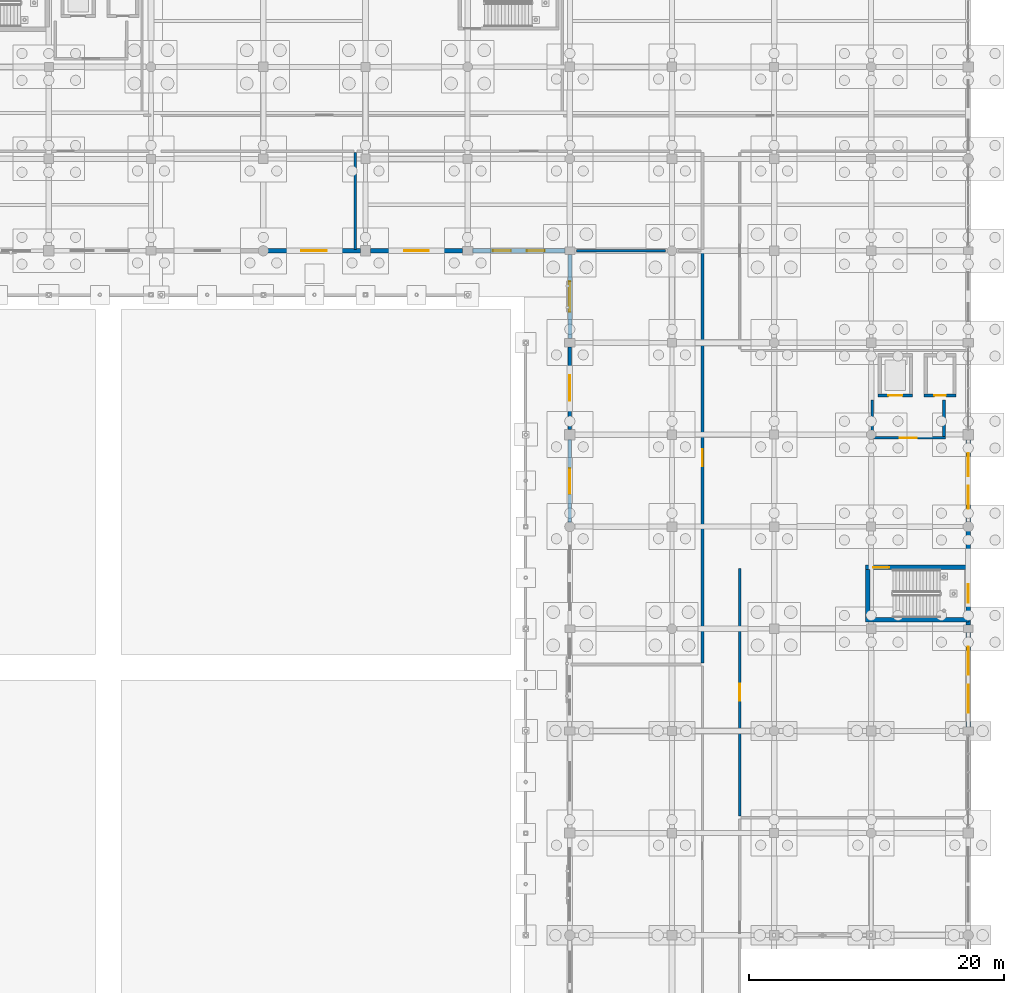
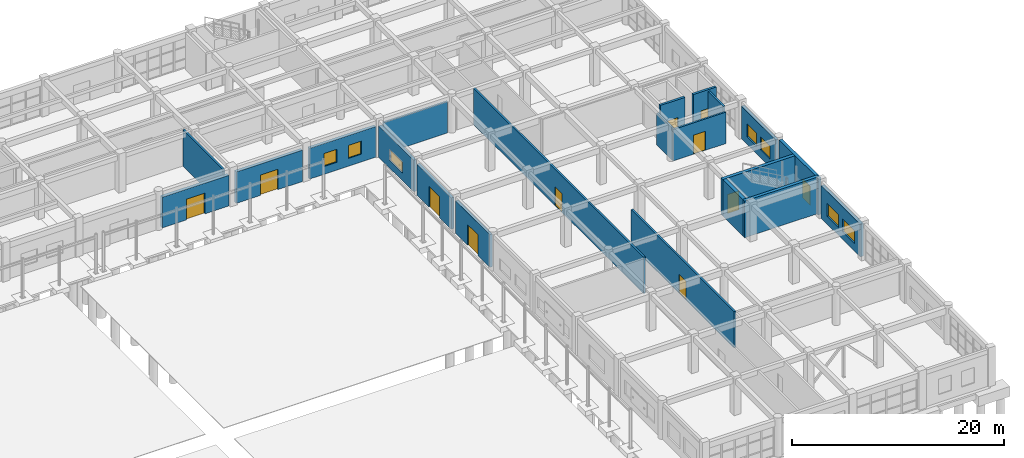
# One storey, part 140 of 166: 21 walls, 11 doors, 7 windows, 18 openings.
"""IFC4 building model written with IfcOpenShell, lengths in metres."""

from ifc_helpers import new_model, si_unit, direction, frame, frame_2d, origin, place, context, subcontext, project, spatial, rectangle, extrude, material, layer, layer_set, type_object, element, fill, save


model = new_model("IFC4")

# Units and contexts
model_context = context("Model", 3, precision=1e-05, world=origin(), true_north=direction((0.0, 1.0)))
body_context = subcontext(model_context, "Body", "Model", "MODEL_VIEW")
ifc_project = project(units=[si_unit("LENGTHUNIT", "METRE"), si_unit("AREAUNIT", "SQUARE_METRE"), si_unit("VOLUMEUNIT", "CUBIC_METRE"), si_unit("PLANEANGLEUNIT", "RADIAN"), si_unit("MASSUNIT", "GRAM", prefix="KILO")], contexts=[model_context])

# Site, building, storey
site_placement = place(None, origin())
site = spatial("IfcSite", under=ifc_project, at=site_placement, CompositionType="ELEMENT")
building_placement = place(site_placement, origin())
building = spatial("IfcBuilding", under=site, at=building_placement, Name="Kharva Crest Polytechnic", CompositionType="ELEMENT")
storey_placement = place(building_placement, origin())
storey = spatial("IfcBuildingStorey", under=building, at=storey_placement, Name="L00", CompositionType="ELEMENT", Elevation=0.0)

# Wall
ifc_material_1 = material(Name="Concrete C40/50", Category="concrete")
ifc_layer_1 = layer(ifc_material_1, 0.35009765625, Name="Concrete C40/50")
ifc_layer_set_1 = layer_set([ifc_layer_1], Name="Concrete C40/50")
wall_type_1 = type_object("IfcWallType", Name="WL-CORE-CW1-350", PredefinedType="SHEAR", material=ifc_layer_set_1)
wall_1_placement = place(storey_placement, frame((175.949951171875, 71.4951171875, 0.0), z_axis=(0.0, 0.0, 1.0), x_axis=(1.0, 0.0, 0.0)))
element("IfcWall", 1, at=wall_1_placement, inside=storey, type_object=wall_type_1, Name="L00 East Crest Firefighting Core C5 South Shear Wall", PredefinedType="SHEAR", context=body_context, shape_type="SweptSolid", body=[
    extrude(rectangle(XDim=8.10009765625, YDim=0.35009765625, at=frame_2d((4.050048828125, 0.0))), origin(), (0.0, 0.0, 1.0), 4.219970703125),
])

# Wall, opening, door
wall_2_placement = place(storey_placement, frame((175.949951171875, 75.60498046875, 0.0), z_axis=(0.0, 0.0, 1.0), x_axis=(1.0, 0.0, 0.0)))
wall_2 = element("IfcWall", 2, at=wall_2_placement, inside=storey, type_object=wall_type_1, Name="L00 East Crest Firefighting Core C5 North Shear Wall", PredefinedType="SHEAR", context=body_context, shape_type="SweptSolid", body=[
    extrude(rectangle(XDim=8.10009765625, YDim=0.35009765625, at=frame_2d((4.050048828125, 0.0))), origin(), (0.0, 0.0, 1.0), 4.219970703125),
])
opening_1_placement = place(wall_2_placement, frame((0.60009765625, 0.0, 0.0)))
opening_1 = element("IfcOpeningElement", 3, at=opening_1_placement, cuts=wall_2, Name="Opening FD1B", PredefinedType="OPENING", context=body_context, shape_type="SweptSolid", body=[
    extrude(rectangle(XDim=1.25, YDim=2.199951171875, at=frame_2d((0.625, 1.10009765625))), frame((0.0, 0.18505859375, 0.0), z_axis=(0.0, -1.0, 0.0), x_axis=(1.0, 0.0, 0.0)), (0.0, 0.0, 1.0), 0.3701171875),
])
ifc_material_2 = material(Name="Teak timber", Category="wood")
door_type_1 = type_object("IfcDoorType", Name="DR-STAIR-1250X2200", OperationType="NOTDEFINED", PredefinedType="DOOR", material=ifc_material_2)
door_1_placement = place(opening_1_placement, origin())
door_1 = element("IfcDoor", 4, at=door_1_placement, inside=storey, type_object=door_type_1, Name="L00 ST-05 Stair Door", OperationType="SINGLE_SWING_RIGHT", OverallHeight=2.199951171875, OverallWidth=1.25, PredefinedType="DOOR", context=body_context, shape_type="SweptSolid", body=[
    extrude(rectangle(XDim=1.25, YDim=2.199951171875, at=frame_2d((0.625, 1.10009765625))), frame((0.0, 0.02490234375, 0.0), z_axis=(0.0, -1.0, 0.0), x_axis=(1.0, 0.0, 0.0)), (0.0, 0.0, 1.0), 0.050048828125),
])
fill(opening_1, door_1)

# Wall
wall_3_placement = place(storey_placement, frame((176.125, 71.669921875, 0.0), z_axis=(0.0, 0.0, 1.0), x_axis=(0.0, 1.0, 0.0)))
element("IfcWall", 5, at=wall_3_placement, inside=storey, type_object=wall_type_1, Name="L00 East Crest Firefighting Core C5 West Shear Wall", PredefinedType="SHEAR", context=body_context, shape_type="SweptSolid", body=[
    extrude(rectangle(XDim=3.760009765625, YDim=0.35009765625, at=frame_2d((1.8798828125, 0.0))), origin(), (0.0, 0.0, 1.0), 4.219970703125),
])

# Wall, opening, door
ifc_material_3 = material(Name="Kiln brick masonry", Category="masonry")
ifc_layer_2 = layer(ifc_material_3, 0.27490234375, Name="Kiln brick masonry")
ifc_layer_set_2 = layer_set([ifc_layer_2], Name="Kiln brick masonry")
wall_type_2 = type_object("IfcWallType", Name="WL-EXT-BRK-275", PredefinedType="SOLIDWALL", material=ifc_layer_set_2)
wall_4_placement = place(storey_placement, frame((152.800048828125, 85.60498046875, 0.0), z_axis=(0.0, 0.0, 1.0), x_axis=(0.0, -1.0, 0.0)))
wall_4 = element("IfcWall", 6, at=wall_4_placement, inside=storey, type_object=wall_type_2, Name="L00 Exterior Brick Wall 95", PredefinedType="SOLIDWALL", context=body_context, shape_type="SweptSolid", body=[
    extrude(rectangle(XDim=6.468994140625, YDim=0.27490234375, at=frame_2d((3.234375, 0.0))), origin(), (0.0, 0.0, 1.0), 3.780029296875),
])
opening_2_placement = place(wall_4_placement, frame((2.235107421875, 0.0, 0.0)))
opening_2 = element("IfcOpeningElement", 7, at=opening_2_placement, cuts=wall_4, Name="Opening ED2", PredefinedType="OPENING", context=body_context, shape_type="SweptSolid", body=[
    extrude(rectangle(XDim=2.0, YDim=2.39990234375, at=frame_2d((1.0, 1.199951171875))), frame((0.0, 0.1474609375, 0.0), z_axis=(0.0, -1.0, 0.0), x_axis=(1.0, 0.0, 0.0)), (0.0, 0.0, 1.0), 0.294921875),
])
ifc_material_4 = material(Name="Anodised aluminium", Category="aluminium")
door_type_2 = type_object("IfcDoorType", Name="DR-EXT-DBL-2000X2400", OperationType="NOTDEFINED", PredefinedType="DOOR", material=ifc_material_4)
door_2_placement = place(opening_2_placement, frame((2.0, 0.0, 0.0), z_axis=(0.0, 0.0, 1.0), x_axis=(-1.0, 0.0, 0.0)))
door_2 = element("IfcDoor", 8, at=door_2_placement, inside=storey, type_object=door_type_2, Name="L00 VER_E_L00 Access Door 24", OperationType="DOUBLE_DOOR_SINGLE_SWING", OverallHeight=2.39990234375, OverallWidth=2.0, PredefinedType="DOOR", context=body_context, shape_type="SweptSolid", body=[
    extrude(rectangle(XDim=2.0, YDim=2.39990234375, at=frame_2d((1.0, 1.199951171875))), frame((0.0, 0.02490234375, 0.0), z_axis=(0.0, -1.0, 0.0), x_axis=(1.0, 0.0, 0.0)), (0.0, 0.0, 1.0), 0.050048828125),
])
fill(opening_2, door_2)

ifc_layer_3 = layer(ifc_material_3, 0.2900390625, Name="Kiln brick masonry")
ifc_layer_set_3 = layer_set([ifc_layer_3], Name="Kiln brick masonry")
wall_type_3 = type_object("IfcWallType", Name="WL-EXT-BRK-290", PredefinedType="SOLIDWALL", material=ifc_layer_set_3)
wall_5_placement = place(storey_placement, frame((152.800048828125, 92.8798828125, 0.0), z_axis=(0.0, 0.0, 1.0), x_axis=(0.0, -1.0, 0.0)))
wall_5 = element("IfcWall", 9, at=wall_5_placement, inside=storey, type_object=wall_type_3, Name="L00 Exterior Brick Wall 94", PredefinedType="SOLIDWALL", context=body_context, shape_type="SweptSolid", body=[
    extrude(rectangle(XDim=6.48486328125, YDim=0.2900390625, at=frame_2d((3.242431640625, 0.0))), origin(), (0.0, 0.0, 1.0), 3.60009765625),
])
opening_3_placement = place(wall_5_placement, frame((2.241943359375, 0.0, 0.0)))
opening_3 = element("IfcOpeningElement", 10, at=opening_3_placement, cuts=wall_5, Name="Opening ED2", PredefinedType="OPENING", context=body_context, shape_type="SweptSolid", body=[
    extrude(rectangle(XDim=2.0, YDim=2.39990234375, at=frame_2d((1.0, 1.199951171875))), frame((0.0, 0.155029296875, 0.0), z_axis=(0.0, -1.0, 0.0), x_axis=(1.0, 0.0, 0.0)), (0.0, 0.0, 1.0), 0.31005859375),
])
door_3_placement = place(opening_3_placement, frame((2.0, 0.0, 0.0), z_axis=(0.0, 0.0, 1.0), x_axis=(-1.0, 0.0, 0.0)))
door_3 = element("IfcDoor", 11, at=door_3_placement, inside=storey, type_object=door_type_2, Name="L00 VER_E_L00 Access Door 23", OperationType="DOUBLE_DOOR_SINGLE_SWING", OverallHeight=2.39990234375, OverallWidth=2.0, PredefinedType="DOOR", context=body_context, shape_type="SweptSolid", body=[
    extrude(rectangle(XDim=2.0, YDim=2.39990234375, at=frame_2d((1.0, 1.199951171875))), frame((0.0, 0.02490234375, 0.0), z_axis=(0.0, -1.0, 0.0), x_axis=(1.0, 0.0, 0.0)), (0.0, 0.0, 1.0), 0.050048828125),
])
fill(opening_3, door_3)

# Wall, opening, window
ifc_layer_4 = layer(ifc_material_3, 0.304931640625, Name="Kiln brick masonry")
ifc_layer_set_4 = layer_set([ifc_layer_4], Name="Kiln brick masonry")
wall_type_4 = type_object("IfcWallType", Name="WL-EXT-BRK-305", PredefinedType="SOLIDWALL", material=ifc_layer_set_4)
wall_6_placement = place(storey_placement, frame((152.800048828125, 100.10498046875, 0.0), z_axis=(0.0, 0.0, 1.0), x_axis=(0.0, -1.0, 0.0)))
wall_6 = element("IfcWall", 12, at=wall_6_placement, inside=storey, type_object=wall_type_4, Name="L00 Exterior Brick Wall 93", PredefinedType="SOLIDWALL", context=body_context, shape_type="SweptSolid", body=[
    extrude(rectangle(XDim=6.5849609375, YDim=0.304931640625, at=frame_2d((3.29248046875, 0.0))), origin(), (0.0, 0.0, 1.0), 3.639892578125),
])
opening_4_placement = place(wall_6_placement, frame((2.093017578125, 0.0, 0.89990234375)))
opening_4 = element("IfcOpeningElement", 13, at=opening_4_placement, cuts=wall_6, Name="Opening W17", PredefinedType="OPENING", context=body_context, shape_type="SweptSolid", body=[
    extrude(rectangle(XDim=2.39990234375, YDim=1.25, at=frame_2d((1.199951171875, 0.625))), frame((0.0, 0.162353515625, 0.0), z_axis=(0.0, -1.0, 0.0), x_axis=(1.0, 0.0, 0.0)), (0.0, 0.0, 1.0), 0.324951171875),
])
window_type_1 = type_object("IfcWindowType", Name="WIN-ALU-2400X1250", PartitioningType="SINGLE_PANEL", PredefinedType="WINDOW", material=ifc_material_4)
window_1_placement = place(opening_4_placement, origin())
window_1 = element("IfcWindow", 14, at=window_1_placement, inside=storey, type_object=window_type_1, Name="L00 Exterior Window 112", OverallHeight=1.25, OverallWidth=2.39990234375, PartitioningType="SINGLE_PANEL", PredefinedType="WINDOW", context=body_context, shape_type="SweptSolid", body=[
    extrude(rectangle(XDim=2.39990234375, YDim=1.25, at=frame_2d((1.199951171875, 0.625))), frame((0.0, 0.030029296875, 0.0), z_axis=(0.0, -1.0, 0.0), x_axis=(1.0, 0.0, 0.0)), (0.0, 0.0, 1.0), 0.06005859375),
])
fill(opening_4, window_1)

# Wall, openings, windows
ifc_layer_5 = layer(ifc_material_3, 0.320068359375, Name="Kiln brick masonry")
ifc_layer_set_5 = layer_set([ifc_layer_5], Name="Kiln brick masonry")
wall_type_5 = type_object("IfcWallType", Name="WL-EXT-BRK-320", PredefinedType="SOLIDWALL", material=ifc_layer_set_5)
wall_7_placement = place(storey_placement, frame((145.195068359375, 100.39990234375, 0.0), z_axis=(0.0, 0.0, 1.0), x_axis=(1.0, 0.0, 0.0)))
wall_7 = element("IfcWall", 15, at=wall_7_placement, inside=storey, type_object=wall_type_5, Name="L00 Exterior Brick Wall 92", PredefinedType="SOLIDWALL", context=body_context, shape_type="SweptSolid", body=[
    extrude(rectangle(XDim=7.219970703125, YDim=0.320068359375, at=frame_2d((3.60986328125, 0.0))), origin(), (0.0, 0.0, 1.0), 3.5400390625),
])
opening_5_placement = place(wall_7_placement, frame((1.580078125, 0.0, 0.89990234375)))
opening_5 = element("IfcOpeningElement", 16, at=opening_5_placement, cuts=wall_7, Name="Opening W15", PredefinedType="OPENING", context=body_context, shape_type="SweptSolid", body=[
    extrude(rectangle(XDim=1.39990234375, YDim=1.5, at=frame_2d((0.699951171875, 0.75))), frame((0.0, 0.169921875, 0.0), z_axis=(0.0, -1.0, 0.0), x_axis=(1.0, 0.0, 0.0)), (0.0, 0.0, 1.0), 0.340087890625),
])
opening_6_placement = place(wall_7_placement, frame((4.239990234375, 0.0, 0.89990234375)))
opening_6 = element("IfcOpeningElement", 17, at=opening_6_placement, cuts=wall_7, Name="Opening W15", PredefinedType="OPENING", context=body_context, shape_type="SweptSolid", body=[
    extrude(rectangle(XDim=1.39990234375, YDim=1.5, at=frame_2d((0.699951171875, 0.75))), frame((0.0, 0.169921875, 0.0), z_axis=(0.0, -1.0, 0.0), x_axis=(1.0, 0.0, 0.0)), (0.0, 0.0, 1.0), 0.340087890625),
])
window_type_2 = type_object("IfcWindowType", Name="WIN-ALU-1400X1500", PartitioningType="SINGLE_PANEL", PredefinedType="WINDOW", material=ifc_material_4)
window_2_placement = place(opening_5_placement, origin())
window_2 = element("IfcWindow", 18, at=window_2_placement, inside=storey, type_object=window_type_2, Name="L00 Exterior Window 110", OverallHeight=1.5, OverallWidth=1.39990234375, PartitioningType="SINGLE_PANEL", PredefinedType="WINDOW", context=body_context, shape_type="SweptSolid", body=[
    extrude(rectangle(XDim=1.39990234375, YDim=1.5, at=frame_2d((0.699951171875, 0.75))), frame((0.0, 0.030029296875, 0.0), z_axis=(0.0, -1.0, 0.0), x_axis=(1.0, 0.0, 0.0)), (0.0, 0.0, 1.0), 0.06005859375),
])
fill(opening_5, window_2)
window_3_placement = place(opening_6_placement, origin())
window_3 = element("IfcWindow", 19, at=window_3_placement, inside=storey, type_object=window_type_2, Name="L00 Exterior Window 111", OverallHeight=1.5, OverallWidth=1.39990234375, PartitioningType="SINGLE_PANEL", PredefinedType="WINDOW", context=body_context, shape_type="SweptSolid", body=[
    extrude(rectangle(XDim=1.39990234375, YDim=1.5, at=frame_2d((0.699951171875, 0.75))), frame((0.0, 0.030029296875, 0.0), z_axis=(0.0, -1.0, 0.0), x_axis=(1.0, 0.0, 0.0)), (0.0, 0.0, 1.0), 0.06005859375),
])
fill(opening_6, window_3)

wall_8_placement = place(storey_placement, frame((184.0, 79.135986328125, 0.0), z_axis=(0.0, 0.0, 1.0), x_axis=(0.0, 1.0, 0.0)))
wall_8 = element("IfcWall", 20, at=wall_8_placement, inside=storey, type_object=wall_type_5, Name="L00 Exterior Brick Wall 106", PredefinedType="SOLIDWALL", context=body_context, shape_type="SweptSolid", body=[
    extrude(rectangle(XDim=6.468994140625, YDim=0.320068359375, at=frame_2d((3.234375, 0.0))), origin(), (0.0, 0.0, 1.0), 3.780029296875),
])
opening_7_placement = place(wall_8_placement, frame((1.06298828125, 0.0, 0.89990234375)))
opening_7 = element("IfcOpeningElement", 21, at=opening_7_placement, cuts=wall_8, Name="Opening W13", PredefinedType="OPENING", context=body_context, shape_type="SweptSolid", body=[
    extrude(rectangle(XDim=1.800048828125, YDim=1.5, at=frame_2d((0.89990234375, 0.75))), frame((0.0, 0.169921875, 0.0), z_axis=(0.0, -1.0, 0.0), x_axis=(1.0, 0.0, 0.0)), (0.0, 0.0, 1.0), 0.340087890625),
])
opening_8_placement = place(wall_8_placement, frame((3.60595703125, 0.0, 0.89990234375)))
opening_8 = element("IfcOpeningElement", 22, at=opening_8_placement, cuts=wall_8, Name="Opening W13", PredefinedType="OPENING", context=body_context, shape_type="SweptSolid", body=[
    extrude(rectangle(XDim=1.800048828125, YDim=1.5, at=frame_2d((0.89990234375, 0.75))), frame((0.0, 0.169921875, 0.0), z_axis=(0.0, -1.0, 0.0), x_axis=(1.0, 0.0, 0.0)), (0.0, 0.0, 1.0), 0.340087890625),
])
window_type_3 = type_object("IfcWindowType", Name="WIN-ALU-1800X1500", PartitioningType="SINGLE_PANEL", PredefinedType="WINDOW", material=ifc_material_4)
window_4_placement = place(opening_7_placement, origin())
window_4 = element("IfcWindow", 23, at=window_4_placement, inside=storey, type_object=window_type_3, Name="L00 Exterior Window 132", OverallHeight=1.5, OverallWidth=1.800048828125, PartitioningType="SINGLE_PANEL", PredefinedType="WINDOW", context=body_context, shape_type="SweptSolid", body=[
    extrude(rectangle(XDim=1.800048828125, YDim=1.5, at=frame_2d((0.89990234375, 0.75))), frame((0.0, 0.030029296875, 0.0), z_axis=(0.0, -1.0, 0.0), x_axis=(1.0, 0.0, 0.0)), (0.0, 0.0, 1.0), 0.06005859375),
])
fill(opening_7, window_4)
window_5_placement = place(opening_8_placement, origin())
window_5 = element("IfcWindow", 24, at=window_5_placement, inside=storey, type_object=window_type_3, Name="L00 Exterior Window 133", OverallHeight=1.5, OverallWidth=1.800048828125, PartitioningType="SINGLE_PANEL", PredefinedType="WINDOW", context=body_context, shape_type="SweptSolid", body=[
    extrude(rectangle(XDim=1.800048828125, YDim=1.5, at=frame_2d((0.89990234375, 0.75))), frame((0.0, 0.030029296875, 0.0), z_axis=(0.0, -1.0, 0.0), x_axis=(1.0, 0.0, 0.0)), (0.0, 0.0, 1.0), 0.06005859375),
])
fill(opening_8, window_5)

# Wall, opening, door
ifc_layer_6 = layer(ifc_material_3, 0.3349609375, Name="Kiln brick masonry")
ifc_layer_set_6 = layer_set([ifc_layer_6], Name="Kiln brick masonry")
wall_type_6 = type_object("IfcWallType", Name="WL-EXT-BRK-335", PredefinedType="SOLIDWALL", material=ifc_layer_set_6)
wall_9_placement = place(storey_placement, frame((137.195068359375, 100.39990234375, 0.0), z_axis=(0.0, 0.0, 1.0), x_axis=(1.0, 0.0, 0.0)))
wall_9 = element("IfcWall", 25, at=wall_9_placement, inside=storey, type_object=wall_type_6, Name="L00 Exterior Brick Wall 91", PredefinedType="SOLIDWALL", context=body_context, shape_type="SweptSolid", body=[
    extrude(rectangle(XDim=7.2099609375, YDim=0.3349609375, at=frame_2d((3.60498046875, 0.0))), origin(), (0.0, 0.0, 1.0), 3.6201171875),
])
opening_9_placement = place(wall_9_placement, frame((2.655029296875, 0.0, 0.0)))
opening_9 = element("IfcOpeningElement", 26, at=opening_9_placement, cuts=wall_9, Name="Opening ED3", PredefinedType="OPENING", context=body_context, shape_type="SweptSolid", body=[
    extrude(rectangle(XDim=1.89990234375, YDim=2.35009765625, at=frame_2d((0.949951171875, 1.175048828125))), frame((0.0, 0.177490234375, 0.0), z_axis=(0.0, -1.0, 0.0), x_axis=(1.0, 0.0, 0.0)), (0.0, 0.0, 1.0), 0.35498046875),
])
door_type_3 = type_object("IfcDoorType", Name="DR-EXT-DBL-1900X2350", OperationType="NOTDEFINED", PredefinedType="DOOR", material=ifc_material_4)
door_4_placement = place(opening_9_placement, frame((1.89990234375, 0.0, 0.0), z_axis=(0.0, 0.0, 1.0), x_axis=(-1.0, 0.0, 0.0)))
door_4 = element("IfcDoor", 27, at=door_4_placement, inside=storey, type_object=door_type_3, Name="L00 Campus Entrance Door 22", OperationType="DOUBLE_DOOR_SINGLE_SWING", OverallHeight=2.35009765625, OverallWidth=1.89990234375, PredefinedType="DOOR", context=body_context, shape_type="SweptSolid", body=[
    extrude(rectangle(XDim=1.89990234375, YDim=2.35009765625, at=frame_2d((0.949951171875, 1.175048828125))), frame((0.0, 0.02490234375, 0.0), z_axis=(0.0, -1.0, 0.0), x_axis=(1.0, 0.0, 0.0)), (0.0, 0.0, 1.0), 0.050048828125),
])
fill(opening_9, door_4)

wall_10_placement = place(storey_placement, frame((184.0, 71.094970703125, 0.0), z_axis=(0.0, 0.0, 1.0), x_axis=(0.0, 1.0, 0.0)))
wall_10 = element("IfcWall", 28, at=wall_10_placement, inside=storey, type_object=wall_type_6, Name="L00 Exterior Brick Wall 105", PredefinedType="SOLIDWALL", context=body_context, shape_type="SweptSolid", body=[
    extrude(rectangle(XDim=7.369140625, YDim=0.3349609375, at=frame_2d((3.6845703125, 0.0))), origin(), (0.0, 0.0, 1.0), 4.219970703125),
])
opening_10_placement = place(wall_10_placement, frame((1.72998046875, 0.0, 0.0)))
opening_10 = element("IfcOpeningElement", 29, at=opening_10_placement, cuts=wall_10, Name="Opening ED5", PredefinedType="OPENING", context=body_context, shape_type="SweptSolid", body=[
    extrude(rectangle(XDim=1.449951171875, YDim=2.199951171875, at=frame_2d((0.72509765625, 1.10009765625))), frame((0.0, 0.177490234375, 0.0), z_axis=(0.0, -1.0, 0.0), x_axis=(1.0, 0.0, 0.0)), (0.0, 0.0, 1.0), 0.35498046875),
])
door_type_4 = type_object("IfcDoorType", Name="DR-EXT-ESC-1450X2200", OperationType="NOTDEFINED", PredefinedType="DOOR", material=ifc_material_4)
door_5_placement = place(opening_10_placement, frame((1.449951171875, 0.0, 0.0), z_axis=(0.0, 0.0, 1.0), x_axis=(-1.0, 0.0, 0.0)))
door_5 = element("IfcDoor", 30, at=door_5_placement, inside=storey, type_object=door_type_4, Name="L00 Core C5 Final Exit Door", OperationType="SINGLE_SWING_LEFT", OverallHeight=2.199951171875, OverallWidth=1.449951171875, PredefinedType="DOOR", context=body_context, shape_type="SweptSolid", body=[
    extrude(rectangle(XDim=1.449951171875, YDim=2.199951171875, at=frame_2d((0.72509765625, 1.10009765625))), frame((0.0, 0.02490234375, 0.0), z_axis=(0.0, -1.0, 0.0), x_axis=(1.0, 0.0, 0.0)), (0.0, 0.0, 1.0), 0.050048828125),
])
fill(opening_10, door_5)

ifc_layer_7 = layer(ifc_material_3, 0.35009765625, Name="Kiln brick masonry")
ifc_layer_set_7 = layer_set([ifc_layer_7], Name="Kiln brick masonry")
wall_type_7 = type_object("IfcWallType", Name="WL-EXT-BRK-350", PredefinedType="SOLIDWALL", material=ifc_layer_set_7)
wall_11_placement = place(storey_placement, frame((129.135986328125, 100.39990234375, 0.0), z_axis=(0.0, 0.0, 1.0), x_axis=(1.0, 0.0, 0.0)))
wall_11 = element("IfcWall", 31, at=wall_11_placement, inside=storey, type_object=wall_type_7, Name="L00 Exterior Brick Wall 90", PredefinedType="SOLIDWALL", context=body_context, shape_type="SweptSolid", body=[
    extrude(rectangle(XDim=7.26904296875, YDim=0.35009765625, at=frame_2d((3.634521484375, 0.0))), origin(), (0.0, 0.0, 1.0), 3.5400390625),
])
opening_11_placement = place(wall_11_placement, frame((2.635009765625, 0.0, 0.0)))
opening_11 = element("IfcOpeningElement", 32, at=opening_11_placement, cuts=wall_11, Name="Opening ED2", PredefinedType="OPENING", context=body_context, shape_type="SweptSolid", body=[
    extrude(rectangle(XDim=2.0, YDim=2.39990234375, at=frame_2d((1.0, 1.199951171875))), frame((0.0, 0.18505859375, 0.0), z_axis=(0.0, -1.0, 0.0), x_axis=(1.0, 0.0, 0.0)), (0.0, 0.0, 1.0), 0.3701171875),
])
door_6_placement = place(opening_11_placement, frame((2.0, 0.0, 0.0), z_axis=(0.0, 0.0, 1.0), x_axis=(-1.0, 0.0, 0.0)))
door_6 = element("IfcDoor", 33, at=door_6_placement, inside=storey, type_object=door_type_2, Name="L00 VER_N_L00 Access Door 21", OperationType="DOUBLE_DOOR_SINGLE_SWING", OverallHeight=2.39990234375, OverallWidth=2.0, PredefinedType="DOOR", context=body_context, shape_type="SweptSolid", body=[
    extrude(rectangle(XDim=2.0, YDim=2.39990234375, at=frame_2d((1.0, 1.199951171875))), frame((0.0, 0.02490234375, 0.0), z_axis=(0.0, -1.0, 0.0), x_axis=(1.0, 0.0, 0.0)), (0.0, 0.0, 1.0), 0.050048828125),
])
fill(opening_11, door_6)

# Wall, openings, windows
wall_12_placement = place(storey_placement, frame((184.0, 63.1201171875, 0.0), z_axis=(0.0, 0.0, 1.0), x_axis=(0.0, 1.0, 0.0)))
wall_12 = element("IfcWall", 34, at=wall_12_placement, inside=storey, type_object=wall_type_7, Name="L00 Exterior Brick Wall 104", PredefinedType="SOLIDWALL", context=body_context, shape_type="SweptSolid", body=[
    extrude(rectangle(XDim=7.384765625, YDim=0.35009765625, at=frame_2d((3.6923828125, 0.0))), origin(), (0.0, 0.0, 1.0), 3.760009765625),
])
opening_12_placement = place(wall_12_placement, frame((1.10205078125, 0.0, 0.89990234375)))
opening_12 = element("IfcOpeningElement", 35, at=opening_12_placement, cuts=wall_12, Name="Opening W11", PredefinedType="OPENING", context=body_context, shape_type="SweptSolid", body=[
    extrude(rectangle(XDim=2.199951171875, YDim=1.5, at=frame_2d((1.10009765625, 0.75))), frame((0.0, 0.18505859375, 0.0), z_axis=(0.0, -1.0, 0.0), x_axis=(1.0, 0.0, 0.0)), (0.0, 0.0, 1.0), 0.3701171875),
])
opening_13_placement = place(wall_12_placement, frame((4.0830078125, 0.0, 0.89990234375)))
opening_13 = element("IfcOpeningElement", 36, at=opening_13_placement, cuts=wall_12, Name="Opening W11", PredefinedType="OPENING", context=body_context, shape_type="SweptSolid", body=[
    extrude(rectangle(XDim=2.199951171875, YDim=1.5, at=frame_2d((1.10009765625, 0.75))), frame((0.0, 0.18505859375, 0.0), z_axis=(0.0, -1.0, 0.0), x_axis=(1.0, 0.0, 0.0)), (0.0, 0.0, 1.0), 0.3701171875),
])
window_type_4 = type_object("IfcWindowType", Name="WIN-ALU-2200X1500", PartitioningType="SINGLE_PANEL", PredefinedType="WINDOW", material=ifc_material_4)
window_6_placement = place(opening_12_placement, origin())
window_6 = element("IfcWindow", 37, at=window_6_placement, inside=storey, type_object=window_type_4, Name="L00 Exterior Window 130", OverallHeight=1.5, OverallWidth=2.199951171875, PartitioningType="SINGLE_PANEL", PredefinedType="WINDOW", context=body_context, shape_type="SweptSolid", body=[
    extrude(rectangle(XDim=2.199951171875, YDim=1.5, at=frame_2d((1.10009765625, 0.75))), frame((0.0, 0.030029296875, 0.0), z_axis=(0.0, -1.0, 0.0), x_axis=(1.0, 0.0, 0.0)), (0.0, 0.0, 1.0), 0.06005859375),
])
fill(opening_12, window_6)
window_7_placement = place(opening_13_placement, origin())
window_7 = element("IfcWindow", 38, at=window_7_placement, inside=storey, type_object=window_type_4, Name="L00 Exterior Window 131", OverallHeight=1.5, OverallWidth=2.199951171875, PartitioningType="SINGLE_PANEL", PredefinedType="WINDOW", context=body_context, shape_type="SweptSolid", body=[
    extrude(rectangle(XDim=2.199951171875, YDim=1.5, at=frame_2d((1.10009765625, 0.75))), frame((0.0, 0.030029296875, 0.0), z_axis=(0.0, -1.0, 0.0), x_axis=(1.0, 0.0, 0.0)), (0.0, 0.0, 1.0), 0.06005859375),
])
fill(opening_13, window_7)

# Wall, opening, door
ifc_layer_8 = layer(ifc_material_3, 0.199951171875, Name="Kiln brick masonry")
ifc_layer_set_8 = layer_set([ifc_layer_8], Name="Kiln brick masonry")
wall_type_8 = type_object("IfcWallType", Name="WL-FIRE-FW1-200", PredefinedType="SOLIDWALL", material=ifc_layer_set_8)
wall_13_placement = place(storey_placement, frame((176.39990234375, 85.75, 0.0), z_axis=(0.0, 0.0, 1.0), x_axis=(1.0, 0.0, 0.0)))
wall_13 = element("IfcWall", 39, at=wall_13_placement, inside=storey, type_object=wall_type_8, Name="L00 Firefighting Lobby FL2 South Wall", PredefinedType="SOLIDWALL", context=body_context, shape_type="SweptSolid", body=[
    extrude(rectangle(XDim=5.800048828125, YDim=0.199951171875, at=frame_2d((2.89990234375, 0.0))), origin(), (0.0, 0.0, 1.0), 3.6201171875),
])
opening_14_placement = place(wall_13_placement, frame((2.25, 0.0, 0.0)))
opening_14 = element("IfcOpeningElement", 40, at=opening_14_placement, cuts=wall_13, Name="Opening FD2", PredefinedType="OPENING", context=body_context, shape_type="SweptSolid", body=[
    extrude(rectangle(XDim=1.300048828125, YDim=2.199951171875, at=frame_2d((0.64990234375, 1.10009765625))), frame((0.0, 0.10986328125, 0.0), z_axis=(0.0, -1.0, 0.0), x_axis=(1.0, 0.0, 0.0)), (0.0, 0.0, 1.0), 0.219970703125),
])
door_type_5 = type_object("IfcDoorType", Name="DR-FFLOB-1300X2200", OperationType="NOTDEFINED", PredefinedType="DOOR", material=ifc_material_2)
door_7_placement = place(opening_14_placement, origin())
door_7 = element("IfcDoor", 41, at=door_7_placement, inside=storey, type_object=door_type_5, Name="L00 Firefighting Lobby FL2 Smoke Door", OperationType="SINGLE_SWING_LEFT", OverallHeight=2.199951171875, OverallWidth=1.300048828125, PredefinedType="DOOR", context=body_context, shape_type="SweptSolid", body=[
    extrude(rectangle(XDim=1.300048828125, YDim=2.199951171875, at=frame_2d((0.64990234375, 1.10009765625))), frame((0.0, 0.02490234375, 0.0), z_axis=(0.0, -1.0, 0.0), x_axis=(1.0, 0.0, 0.0)), (0.0, 0.0, 1.0), 0.050048828125),
])
fill(opening_14, door_7)

# Walls
wall_14_placement = place(storey_placement, frame((176.5, 85.85009765625, 0.0), z_axis=(0.0, 0.0, 1.0), x_axis=(0.0, 1.0, 0.0)))
element("IfcWall", 42, at=wall_14_placement, inside=storey, type_object=wall_type_8, Name="L00 Firefighting Lobby FL2 West Wall", PredefinedType="SOLIDWALL", context=body_context, shape_type="SweptSolid", body=[
    extrude(rectangle(XDim=2.849853515625, YDim=0.199951171875, at=frame_2d((1.4248046875, 0.0))), origin(), (0.0, 0.0, 1.0), 3.699951171875),
])
wall_15_placement = place(storey_placement, frame((182.10009765625, 85.85009765625, 0.0), z_axis=(0.0, 0.0, 1.0), x_axis=(0.0, 1.0, 0.0)))
element("IfcWall", 43, at=wall_15_placement, inside=storey, type_object=wall_type_8, Name="L00 Firefighting Lobby FL2 East Wall", PredefinedType="SOLIDWALL", context=body_context, shape_type="SweptSolid", body=[
    extrude(rectangle(XDim=2.849853515625, YDim=0.199951171875, at=frame_2d((1.4248046875, 0.0))), origin(), (0.0, 0.0, 1.0), 4.219970703125),
])

# Wall, opening, door
wall_16_placement = place(storey_placement, frame((163.18994140625, 68.1201171875, 0.0), z_axis=(0.0, 0.0, 1.0), x_axis=(0.0, 1.0, 0.0)))
wall_16 = element("IfcWall", 44, at=wall_16_placement, inside=storey, type_object=wall_type_8, Name="L00 Interior Partition 108", PredefinedType="SOLIDWALL", context=body_context, shape_type="SweptSolid", body=[
    extrude(rectangle(XDim=32.159912109375, YDim=0.199951171875, at=frame_2d((16.080078125, 0.0))), origin(), (0.0, 0.0, 1.0), 4.199951171875),
])
opening_15_placement = place(wall_16_placement, frame((15.405029296875, 0.0, 0.0)))
opening_15 = element("IfcOpeningElement", 45, at=opening_15_placement, cuts=wall_16, Name="Opening ID6", PredefinedType="OPENING", context=body_context, shape_type="SweptSolid", body=[
    extrude(rectangle(XDim=1.35009765625, YDim=2.199951171875, at=frame_2d((0.675048828125, 1.10009765625))), frame((0.0, 0.10986328125, 0.0), z_axis=(0.0, -1.0, 0.0), x_axis=(1.0, 0.0, 0.0)), (0.0, 0.0, 1.0), 0.219970703125),
])
door_type_6 = type_object("IfcDoorType", Name="DR-LAB-1350X2200", OperationType="NOTDEFINED", PredefinedType="DOOR", material=ifc_material_2)
door_8_placement = place(opening_15_placement, origin())
door_8 = element("IfcDoor", 46, at=door_8_placement, inside=storey, type_object=door_type_6, Name="L00 Power Electronics Laboratory Door", OperationType="SINGLE_SWING_LEFT", OverallHeight=2.199951171875, OverallWidth=1.35009765625, PredefinedType="DOOR", context=body_context, shape_type="SweptSolid", body=[
    extrude(rectangle(XDim=1.35009765625, YDim=2.199951171875, at=frame_2d((0.675048828125, 1.10009765625))), frame((0.0, 0.02490234375, 0.0), z_axis=(0.0, -1.0, 0.0), x_axis=(1.0, 0.0, 0.0)), (0.0, 0.0, 1.0), 0.050048828125),
])
fill(opening_15, door_8)

wall_17_placement = place(storey_placement, frame((166.110107421875, 56.1201171875, 0.0), z_axis=(0.0, 0.0, 1.0), x_axis=(0.0, 1.0, 0.0)))
wall_17 = element("IfcWall", 47, at=wall_17_placement, inside=storey, type_object=wall_type_8, Name="L00 Interior Partition 111", PredefinedType="SOLIDWALL", context=body_context, shape_type="SweptSolid", body=[
    extrude(rectangle(XDim=19.409912109375, YDim=0.199951171875, at=frame_2d((9.705078125, 0.0))), origin(), (0.0, 0.0, 1.0), 4.199951171875),
])
opening_16_placement = place(wall_17_placement, frame((9.030029296875, 0.0, 0.0)))
opening_16 = element("IfcOpeningElement", 48, at=opening_16_placement, cuts=wall_17, Name="Opening ID6", PredefinedType="OPENING", context=body_context, shape_type="SweptSolid", body=[
    extrude(rectangle(XDim=1.35009765625, YDim=2.199951171875, at=frame_2d((0.675048828125, 1.10009765625))), frame((0.0, 0.10986328125, 0.0), z_axis=(0.0, -1.0, 0.0), x_axis=(1.0, 0.0, 0.0)), (0.0, 0.0, 1.0), 0.219970703125),
])
door_9_placement = place(opening_16_placement, origin())
door_9 = element("IfcDoor", 49, at=door_9_placement, inside=storey, type_object=door_type_6, Name="L00 Metrology Calibration Laboratory Door", OperationType="SINGLE_SWING_LEFT", OverallHeight=2.199951171875, OverallWidth=1.35009765625, PredefinedType="DOOR", context=body_context, shape_type="SweptSolid", body=[
    extrude(rectangle(XDim=1.35009765625, YDim=2.199951171875, at=frame_2d((0.675048828125, 1.10009765625))), frame((0.0, 0.02490234375, 0.0), z_axis=(0.0, -1.0, 0.0), x_axis=(1.0, 0.0, 0.0)), (0.0, 0.0, 1.0), 0.050048828125),
])
fill(opening_16, door_9)

# Walls
ifc_layer_9 = layer(ifc_material_3, 0.18994140625, Name="Kiln brick masonry")
ifc_layer_set_9 = layer_set([ifc_layer_9], Name="Kiln brick masonry")
wall_type_9 = type_object("IfcWallType", Name="WL-PART-190", PredefinedType="PARTITIONING", material=ifc_layer_set_9)
wall_18_placement = place(storey_placement, frame((153.320068359375, 100.39990234375, 0.0), z_axis=(0.0, 0.0, 1.0), x_axis=(1.0, 0.0, 0.0)))
element("IfcWall", 50, at=wall_18_placement, inside=storey, type_object=wall_type_9, Name="L00 Interior Partition 95", PredefinedType="PARTITIONING", context=body_context, shape_type="SweptSolid", body=[
    extrude(rectangle(XDim=6.974853515625, YDim=0.18994140625, at=frame_2d((3.4873046875, 0.0))), origin(), (0.0, 0.0, 1.0), 3.6201171875),
])
ifc_layer_10 = layer(ifc_material_3, 0.205078125, Name="Kiln brick masonry")
ifc_layer_set_10 = layer_set([ifc_layer_10], Name="Kiln brick masonry")
wall_type_10 = type_object("IfcWallType", Name="WL-PART-205", PredefinedType="PARTITIONING", material=ifc_layer_set_10)
wall_19_placement = place(storey_placement, frame((136.0, 100.510009765625, 0.0), z_axis=(0.0, 0.0, 1.0), x_axis=(0.0, 1.0, 0.0)))
element("IfcWall", 51, at=wall_19_placement, inside=storey, type_object=wall_type_10, Name="L00 Interior Partition 94", PredefinedType="PARTITIONING", context=body_context, shape_type="SweptSolid", body=[
    extrude(rectangle(XDim=7.570068359375, YDim=0.205078125, at=frame_2d((3.78515625, 0.0))), origin(), (0.0, 0.0, 1.0), 4.199951171875),
])

# Wall, opening, door
ifc_layer_11 = layer(ifc_material_1, 0.25, Name="Concrete C40/50")
ifc_layer_set_11 = layer_set([ifc_layer_11], Name="Concrete C40/50")
wall_type_11 = type_object("IfcWallType", Name="WL-SHEAR-SW1-250", PredefinedType="SHEAR", material=ifc_layer_set_11)
wall_20_placement = place(storey_placement, frame((176.949951171875, 89.074951171875, 0.0), z_axis=(0.0, 0.0, 1.0), x_axis=(1.0, 0.0, 0.0)))
wall_20 = element("IfcWall", 52, at=wall_20_placement, inside=storey, type_object=wall_type_11, Name="L00 Lift FL2 South Shaft Wall", PredefinedType="SHEAR", context=body_context, shape_type="SweptSolid", body=[
    extrude(rectangle(XDim=2.699951171875, YDim=0.25, at=frame_2d((1.35009765625, 0.0))), origin(), (0.0, 0.0, 1.0), 4.219970703125),
])
opening_17_placement = place(wall_20_placement, frame((0.800048828125, 0.0, 0.0)))
opening_17 = element("IfcOpeningElement", 53, at=opening_17_placement, cuts=wall_20, Name="Opening LD1", PredefinedType="OPENING", context=body_context, shape_type="SweptSolid", body=[
    extrude(rectangle(XDim=1.10009765625, YDim=2.14990234375, at=frame_2d((0.550048828125, 1.074951171875))), frame((0.0, 0.135009765625, 0.0), z_axis=(0.0, -1.0, 0.0), x_axis=(1.0, 0.0, 0.0)), (0.0, 0.0, 1.0), 0.27001953125),
])
door_type_7 = type_object("IfcDoorType", Name="DR-LIFT-LD1-1100X2150", OperationType="SLIDING_TO_LEFT", PredefinedType="DOOR", material=ifc_material_4)
door_10_placement = place(opening_17_placement, origin())
door_10 = element("IfcDoor", 54, at=door_10_placement, inside=storey, type_object=door_type_7, Name="L00 Lift FL2 Sliding Landing Door", OperationType="SLIDING_TO_LEFT", OverallHeight=2.14990234375, OverallWidth=1.10009765625, PredefinedType="DOOR", context=body_context, shape_type="SweptSolid", body=[
    extrude(rectangle(XDim=1.10009765625, YDim=2.14990234375, at=frame_2d((0.550048828125, 1.074951171875))), frame((0.0, 0.02490234375, 0.0), z_axis=(0.0, -1.0, 0.0), x_axis=(1.0, 0.0, 0.0)), (0.0, 0.0, 1.0), 0.050048828125),
])
fill(opening_17, door_10)

wall_21_placement = place(storey_placement, frame((180.550048828125, 89.074951171875, 0.0), z_axis=(0.0, 0.0, 1.0), x_axis=(1.0, 0.0, 0.0)))
wall_21 = element("IfcWall", 55, at=wall_21_placement, inside=storey, type_object=wall_type_11, Name="L00 Core C5 Riser South Wall", PredefinedType="SHEAR", context=body_context, shape_type="SweptSolid", body=[
    extrude(rectangle(XDim=2.5, YDim=0.25, at=frame_2d((1.25, 0.0))), origin(), (0.0, 0.0, 1.0), 4.219970703125),
])
opening_18_placement = place(wall_21_placement, frame((0.800048828125, 0.0, 0.0)))
opening_18 = element("IfcOpeningElement", 56, at=opening_18_placement, cuts=wall_21, Name="Opening FD3", PredefinedType="OPENING", context=body_context, shape_type="SweptSolid", body=[
    extrude(rectangle(XDim=0.89990234375, YDim=2.050048828125, at=frame_2d((0.449951171875, 1.02490234375))), frame((0.0, 0.135009765625, 0.0), z_axis=(0.0, -1.0, 0.0), x_axis=(1.0, 0.0, 0.0)), (0.0, 0.0, 1.0), 0.27001953125),
])
door_type_8 = type_object("IfcDoorType", Name="DR-RISER-900X2050", OperationType="NOTDEFINED", PredefinedType="DOOR", material=ifc_material_4)
door_11_placement = place(opening_18_placement, origin())
door_11 = element("IfcDoor", 57, at=door_11_placement, inside=storey, type_object=door_type_8, Name="L00 Core C5 Riser Access Door", OperationType="SINGLE_SWING_RIGHT", OverallHeight=2.050048828125, OverallWidth=0.89990234375, PredefinedType="DOOR", context=body_context, shape_type="SweptSolid", body=[
    extrude(rectangle(XDim=0.89990234375, YDim=2.050048828125, at=frame_2d((0.449951171875, 1.02490234375))), frame((0.0, 0.02490234375, 0.0), z_axis=(0.0, -1.0, 0.0), x_axis=(1.0, 0.0, 0.0)), (0.0, 0.0, 1.0), 0.050048828125),
])
fill(opening_18, door_11)

save(model, "model.ifc")
